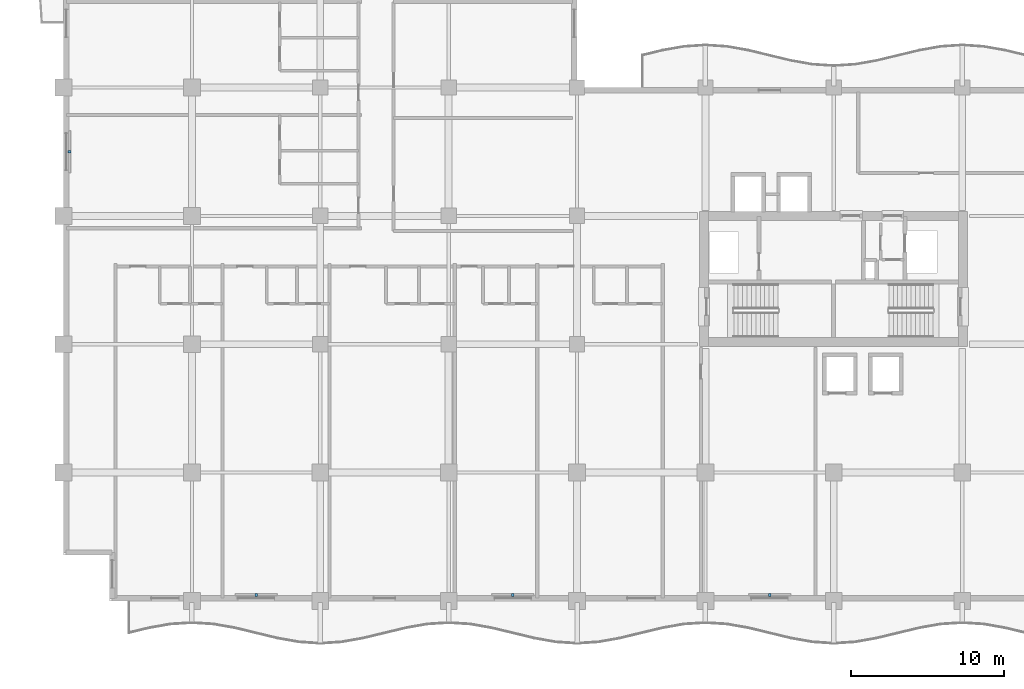
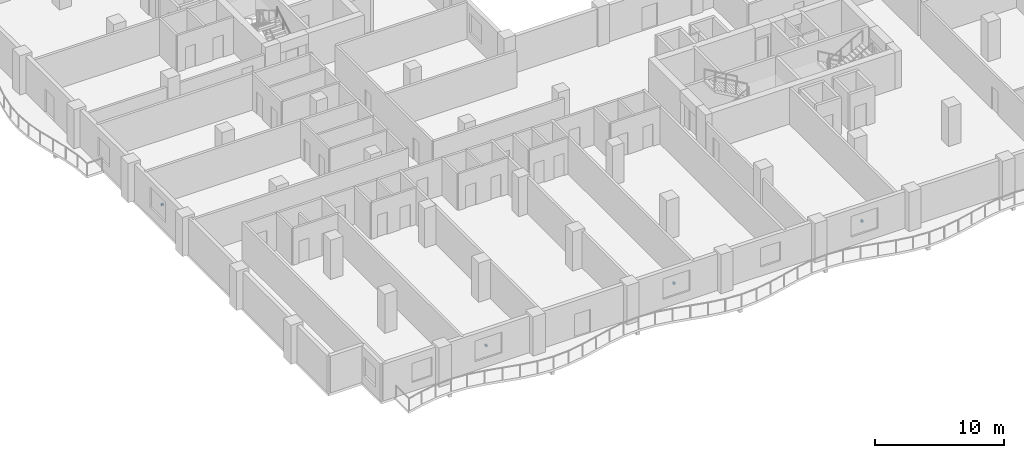
# One storey, part 14 of 19: 4 discrete accessories.
"""IFC4 building model written with IfcOpenShell, lengths in metres."""

from ifc_helpers import new_model, si_unit, direction, frame, origin, origin_2d, place, context, subcontext, project, spatial, rectangle, extrude, material, type_object, element, save


model = new_model("IFC4")

# Units and contexts
model_context = context("Model", 3, precision=1e-05, world=origin(), true_north=direction((0.0, 1.0)))
body_context = subcontext(model_context, "Body", "Model", "MODEL_VIEW")
ifc_project = project(units=[si_unit("LENGTHUNIT", "METRE"), si_unit("AREAUNIT", "SQUARE_METRE"), si_unit("VOLUMEUNIT", "CUBIC_METRE"), si_unit("PLANEANGLEUNIT", "RADIAN"), si_unit("MASSUNIT", "GRAM", prefix="KILO")], contexts=[model_context])

# Site, building, storey
site_placement = place(None, origin())
site = spatial("IfcSite", under=ifc_project, at=site_placement, CompositionType="ELEMENT")
building_placement = place(site_placement, origin())
building = spatial("IfcBuilding", under=site, at=building_placement, Name="Koriwani Terraces Tower", CompositionType="ELEMENT")
storey_placement = place(building_placement, frame((0.0, 0.0, 190.199951171875)))
storey = spatial("IfcBuildingStorey", under=building, at=storey_placement, Name="L46", CompositionType="ELEMENT", Elevation=190.199951171875)

# Discrete accessories
ifc_material = material(Name="Steel ASTM A572 Grade 50", Category="steel")
discrete_accessory_type = type_object("IfcDiscreteAccessoryType", Name="BAGUETTE_STANDOFF_BRACKET", PredefinedType="BRACKET", material=ifc_material)
for number, where, z_axis, x_axis, name in (
    (1, (0.389892578125, 29.39990234375, 1.64501953125), (0.0, 0.0, 1.0), (0.0, 1.0, 0.0), "L46 Terracotta Baguette Bracket (W-9)"),
    (2, (12.60009765625, 0.389892578125, 1.64501953125), (0.0, 0.0, 1.0), (-1.0, 0.0, 0.0), "L46 Terracotta Baguette Bracket (S-3)"),
    (3, (29.39990234375, 0.389892578125, 1.64501953125), (0.0, 0.0, 1.0), (-1.0, 0.0, 0.0), "L46 Terracotta Baguette Bracket (S-9)"),
    (4, (46.199951171875, 0.389892578125, 1.64501953125), (0.0, 0.0, 1.0), (-1.0, 0.0, 0.0), "L46 Terracotta Baguette Bracket (S-15)"),
):
    element("IfcDiscreteAccessory", number, at=place(storey_placement, frame(where, z_axis=z_axis, x_axis=x_axis)), inside=storey, type_object=discrete_accessory_type, Name=name, PredefinedType="BRACKET", context=body_context, shape_type="SweptSolid", body=[
        extrude(rectangle(XDim=0.159912109375, YDim=0.199951171875, at=origin_2d()), origin(), (0.0, 0.0, 1.0), 0.179931640625),
    ])

save(model, "model.ifc")
